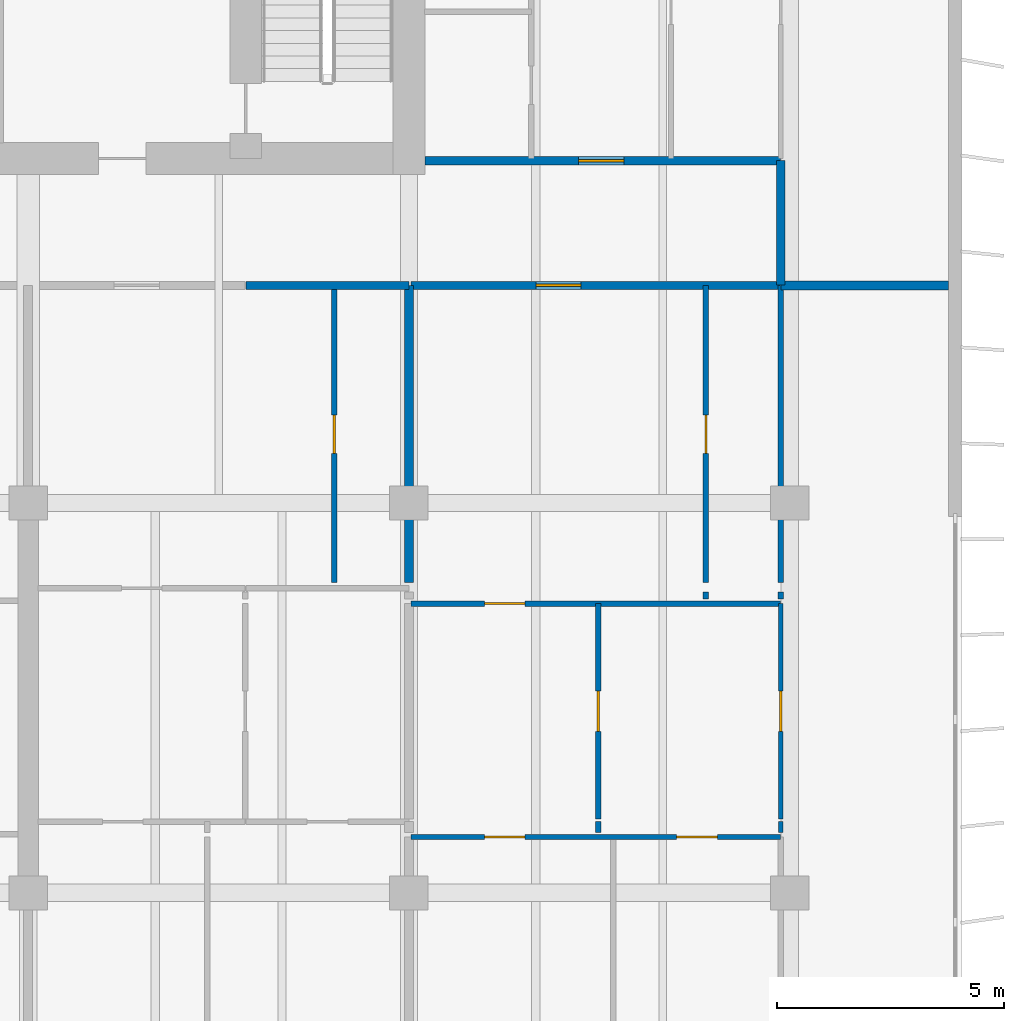
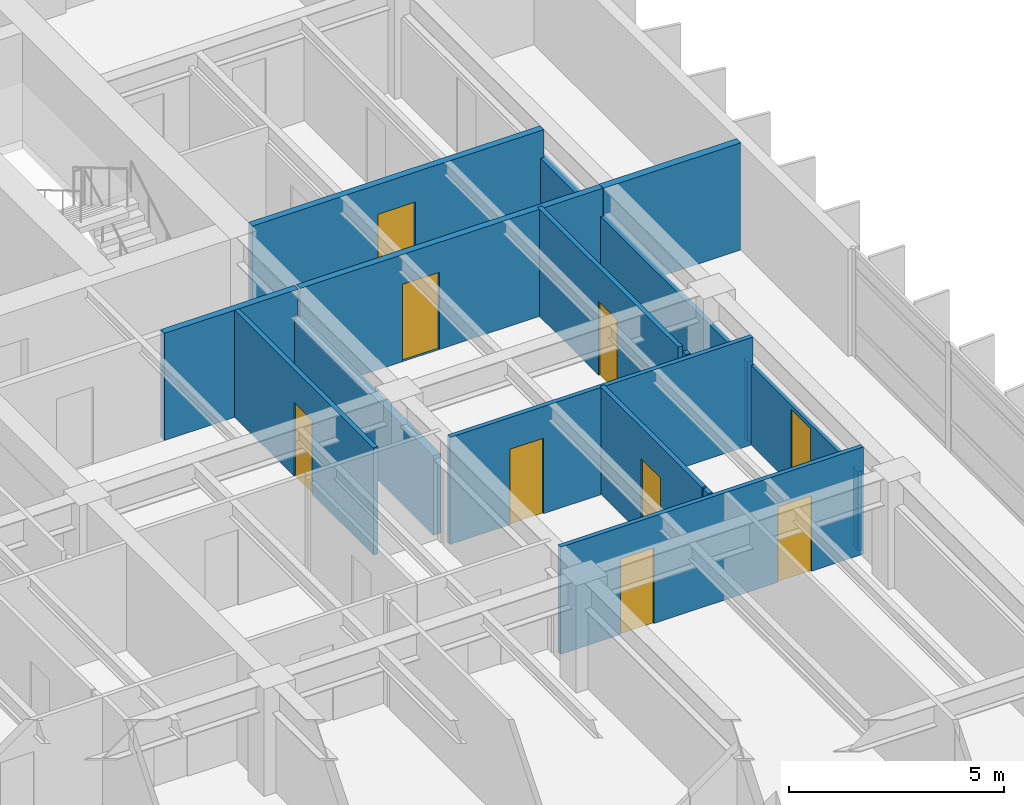
# One storey, part 12 of 19: 17 walls, 9 doors, 9 openings.
"""IFC4 building model written with IfcOpenShell, lengths in metres."""

from ifc_helpers import new_model, si_unit, direction, frame, frame_2d, origin, place, context, subcontext, project, spatial, rectangle, extrude, material, layer, layer_set, type_object, element, fill, save


model = new_model("IFC4")

# Units and contexts
model_context = context("Model", 3, precision=1e-05, world=origin(), true_north=direction((0.0, 1.0)))
body_context = subcontext(model_context, "Body", "Model", "MODEL_VIEW")
ifc_project = project(units=[si_unit("LENGTHUNIT", "METRE"), si_unit("AREAUNIT", "SQUARE_METRE"), si_unit("VOLUMEUNIT", "CUBIC_METRE"), si_unit("PLANEANGLEUNIT", "RADIAN"), si_unit("MASSUNIT", "GRAM", prefix="KILO")], contexts=[model_context])

# Site, building, storey
site_placement = place(None, origin())
site = spatial("IfcSite", under=ifc_project, at=site_placement, CompositionType="ELEMENT")
building_placement = place(site_placement, origin())
building = spatial("IfcBuilding", under=site, at=building_placement, Name="Caelmar Bay Residences", CompositionType="ELEMENT")
storey_placement = place(building_placement, frame((0.0, 0.0, 160.5)))
storey = spatial("IfcBuildingStorey", under=building, at=storey_placement, Name="L44", CompositionType="ELEMENT", Elevation=160.5)

# Walls
ifc_material_1 = material(Name="Double-stud acoustic fire-rated gypsum partition 180 mm")
ifc_layer_1 = layer(ifc_material_1, 0.179931640625)
ifc_layer_set_1 = layer_set([ifc_layer_1], Name="Double-stud acoustic fire-rated gypsum partition 180 mm")
wall_type_1 = type_object("IfcWallType", Name="W-COR-200", PredefinedType="PARTITIONING", material=ifc_layer_set_1)
wall_1_placement = place(storey_placement, frame((67.699951171875, 34.205078125, 0.0), z_axis=(0.0, 0.0, 1.0), x_axis=(0.0, 1.0, 0.0)))
element("IfcWall", 1, at=wall_1_placement, inside=storey, type_object=wall_type_1, Name="L44 Partition Wall V098", PredefinedType="PARTITIONING", context=body_context, shape_type="SweptSolid", body=[
    extrude(rectangle(XDim=2.744873046875, YDim=0.179931640625, at=frame_2d((1.37255859375, 0.0))), origin(), (0.0, 0.0, 1.0), 2.262939453125),
])
wall_2_placement = place(storey_placement, frame((55.89990234375, 34.199951171875, 0.0), z_axis=(0.0, 0.0, 1.0), x_axis=(1.0, 0.0, 0.0)))
element("IfcWall", 2, at=wall_2_placement, inside=storey, type_object=wall_type_1, Name="L44 Partition Wall H124", PredefinedType="PARTITIONING", context=body_context, shape_type="SweptSolid", body=[
    extrude(rectangle(XDim=3.60009765625, YDim=0.179931640625, at=frame_2d((1.800048828125, 0.0))), origin(), (0.0, 0.0, 1.0), 3.050048828125),
])

# Wall, opening, door
wall_3_placement = place(storey_placement, frame((59.550048828125, 34.199951171875, 0.0), z_axis=(0.0, 0.0, 1.0), x_axis=(1.0, 0.0, 0.0)))
wall_3 = element("IfcWall", 3, at=wall_3_placement, inside=storey, type_object=wall_type_1, Name="L44 Partition Wall H125", PredefinedType="PARTITIONING", context=body_context, shape_type="SweptSolid", body=[
    extrude(rectangle(XDim=8.14990234375, YDim=0.179931640625, at=frame_2d((4.074951171875, 0.0))), origin(), (0.0, 0.0, 1.0), 3.050048828125),
])
opening_1_placement = place(wall_3_placement, frame((2.75, 0.0, 0.0)))
opening_1 = element("IfcOpeningElement", 4, at=opening_1_placement, cuts=wall_3, Name="Opening D-L44-158", PredefinedType="OPENING", context=body_context, shape_type="SweptSolid", body=[
    extrude(rectangle(XDim=1.0, YDim=2.199951171875, at=frame_2d((0.5, 1.10009765625))), frame((0.0, 0.099853515625, 0.0), z_axis=(0.0, -1.0, 0.0), x_axis=(1.0, 0.0, 0.0)), (0.0, 0.0, 1.0), 0.199951171875),
])
ifc_material_2 = material(Name="Fire-rated steel and walnut architectural door assembly", Category="steel")
ifc_layer_2 = layer(ifc_material_2, 0.050048828125)
ifc_layer_set_2 = layer_set([ifc_layer_2], Name="Fire-rated steel and walnut architectural door assembly")
door_type_1 = type_object("IfcDoorType", Name="D-UNIT-1000", OperationType="NOTDEFINED", PredefinedType="DOOR", material=ifc_layer_set_2)
door_1_placement = place(opening_1_placement, origin())
door_1 = element("IfcDoor", 5, at=door_1_placement, inside=storey, type_object=door_type_1, Name="L44 Residence 06 Apartment Hall Door", OperationType="SINGLE_SWING_LEFT", OverallHeight=2.199951171875, OverallWidth=1.0, PredefinedType="DOOR", context=body_context, shape_type="SweptSolid", body=[
    extrude(rectangle(XDim=1.0, YDim=2.199951171875, at=frame_2d((0.5, 1.10009765625))), frame((0.0, 0.02490234375, 0.0), z_axis=(0.0, -1.0, 0.0), x_axis=(1.0, 0.0, 0.0)), (0.0, 0.0, 1.0), 0.050048828125),
])
fill(opening_1, door_1)

wall_4_placement = place(storey_placement, frame((59.85498046875, 36.949951171875, 0.0), z_axis=(0.0, 0.0, 1.0), x_axis=(1.0, 0.0, 0.0)))
wall_4 = element("IfcWall", 6, at=wall_4_placement, inside=storey, type_object=wall_type_1, Name="L44 Partition Wall H128", PredefinedType="PARTITIONING", context=body_context, shape_type="SweptSolid", body=[
    extrude(rectangle(XDim=7.844970703125, YDim=0.179931640625, at=frame_2d((3.92236328125, 0.0))), origin(), (0.0, 0.0, 1.0), 3.050048828125),
])
opening_2_placement = place(wall_4_placement, frame((3.385009765625, 0.0, 0.0)))
opening_2 = element("IfcOpeningElement", 7, at=opening_2_placement, cuts=wall_4, Name="Opening D-L44-174", PredefinedType="OPENING", context=body_context, shape_type="SweptSolid", body=[
    extrude(rectangle(XDim=1.0, YDim=2.199951171875, at=frame_2d((0.5, 1.10009765625))), frame((0.0, 0.099853515625, 0.0), z_axis=(0.0, -1.0, 0.0), x_axis=(1.0, 0.0, 0.0)), (0.0, 0.0, 1.0), 0.199951171875),
])
door_2_placement = place(opening_2_placement, origin())
door_2 = element("IfcDoor", 8, at=door_2_placement, inside=storey, type_object=door_type_1, Name="L44 Residence EA Kitchen Door", OperationType="SINGLE_SWING_LEFT", OverallHeight=2.199951171875, OverallWidth=1.0, PredefinedType="DOOR", context=body_context, shape_type="SweptSolid", body=[
    extrude(rectangle(XDim=1.0, YDim=2.199951171875, at=frame_2d((0.5, 1.10009765625))), frame((0.0, 0.02490234375, 0.0), z_axis=(0.0, -1.0, 0.0), x_axis=(1.0, 0.0, 0.0)), (0.0, 0.0, 1.0), 0.050048828125),
])
fill(opening_2, door_2)

# Wall
ifc_material_3 = material(Name="Anodised bronze framed acoustic sliding study partition 100 mm")
ifc_layer_3 = layer(ifc_material_3, 0.10009765625)
ifc_layer_set_3 = layer_set([ifc_layer_3], Name="Anodised bronze framed acoustic sliding study partition 100 mm")
wall_type_2 = type_object("IfcWallType", Name="W-MOV-100", PredefinedType="MOVABLE", material=ifc_layer_set_3)
wall_5_placement = place(storey_placement, frame((67.699951171875, 22.1298828125, 0.0), z_axis=(0.0, 0.0, 1.0), x_axis=(0.0, 1.0, 0.0)))
element("IfcWall", 9, at=wall_5_placement, inside=storey, type_object=wall_type_2, Name="L44 Partition Wall V094", PredefinedType="MOVABLE", context=body_context, shape_type="SweptSolid", body=[
    extrude(rectangle(XDim=0.240234375, YDim=0.10009765625, at=frame_2d((0.1201171875, 0.0))), origin(), (0.0, 0.0, 1.0), 2.262939453125),
])

# Wall, opening, door
wall_6_placement = place(storey_placement, frame((67.699951171875, 22.429931640625, 0.0), z_axis=(0.0, 0.0, 1.0), x_axis=(0.0, 1.0, 0.0)))
wall_6 = element("IfcWall", 10, at=wall_6_placement, inside=storey, type_object=wall_type_2, Name="L44 Partition Wall V095", PredefinedType="MOVABLE", context=body_context, shape_type="SweptSolid", body=[
    extrude(rectangle(XDim=4.75, YDim=0.10009765625, at=frame_2d((2.375, 0.0))), origin(), (0.0, 0.0, 1.0), 2.262939453125),
])
opening_3_placement = place(wall_6_placement, frame((1.925048828125, 0.0, 0.0)))
opening_3 = element("IfcOpeningElement", 11, at=opening_3_placement, cuts=wall_6, Name="Opening D-L44-165", PredefinedType="OPENING", context=body_context, shape_type="SweptSolid", body=[
    extrude(rectangle(XDim=0.89990234375, YDim=2.14990234375, at=frame_2d((0.449951171875, 1.074951171875))), frame((0.0, 0.06005859375, 0.0), z_axis=(0.0, -1.0, 0.0), x_axis=(1.0, 0.0, 0.0)), (0.0, 0.0, 1.0), 0.1201171875),
])
ifc_material_4 = material(Name="Solid walnut timber interior door leaf and frame", Category="wood")
ifc_layer_4 = layer(ifc_material_4, 0.050048828125)
ifc_layer_set_4 = layer_set([ifc_layer_4], Name="Solid walnut timber interior door leaf and frame")
door_type_2 = type_object("IfcDoorType", Name="D-ROOM-900", OperationType="NOTDEFINED", PredefinedType="DOOR", material=ifc_layer_set_4)
door_3_placement = place(opening_3_placement, origin())
door_3 = element("IfcDoor", 12, at=door_3_placement, inside=storey, type_object=door_type_2, Name="L44 Residence 06 Penthouse East Salon Door", OperationType="SINGLE_SWING_RIGHT", OverallHeight=2.14990234375, OverallWidth=0.89990234375, PredefinedType="DOOR", context=body_context, shape_type="SweptSolid", body=[
    extrude(rectangle(XDim=0.89990234375, YDim=2.14990234375, at=frame_2d((0.449951171875, 1.074951171875))), frame((0.0, 0.02490234375, 0.0), z_axis=(0.0, -1.0, 0.0), x_axis=(1.0, 0.0, 0.0)), (0.0, 0.0, 1.0), 0.050048828125),
])
fill(opening_3, door_3)

ifc_material_5 = material(Name="Acoustic metal-stud gypsum partition 120 mm")
ifc_layer_5 = layer(ifc_material_5, 0.1201171875)
ifc_layer_set_5 = layer_set([ifc_layer_5], Name="Acoustic metal-stud gypsum partition 120 mm")
wall_type_3 = type_object("IfcWallType", Name="W-PRT-120", PredefinedType="PARTITIONING", material=ifc_layer_set_5)
wall_7_placement = place(storey_placement, frame((57.85009765625, 27.639892578125, 0.0), z_axis=(0.0, 0.0, 1.0), x_axis=(0.0, 1.0, 0.0)))
wall_7 = element("IfcWall", 13, at=wall_7_placement, inside=storey, type_object=wall_type_3, Name="L44 Partition Wall V078", PredefinedType="PARTITIONING", context=body_context, shape_type="SweptSolid", body=[
    extrude(rectangle(XDim=6.56005859375, YDim=0.1201171875, at=frame_2d((3.280029296875, 0.0))), origin(), (0.0, 0.0, 1.0), 3.050048828125),
])
opening_4_placement = place(wall_7_placement, frame((2.85498046875, 0.0, 0.0)))
opening_4 = element("IfcOpeningElement", 14, at=opening_4_placement, cuts=wall_7, Name="Opening D-L44-152", PredefinedType="OPENING", context=body_context, shape_type="SweptSolid", body=[
    extrude(rectangle(XDim=0.85009765625, YDim=2.10009765625, at=frame_2d((0.425048828125, 1.050048828125))), frame((0.0, 0.070068359375, 0.0), z_axis=(0.0, -1.0, 0.0), x_axis=(1.0, 0.0, 0.0)), (0.0, 0.0, 1.0), 0.14013671875),
])
ifc_layer_6 = layer(ifc_material_4, 0.050048828125)
ifc_layer_set_6 = layer_set([ifc_layer_6], Name="Solid walnut timber interior door leaf and frame")
door_type_3 = type_object("IfcDoorType", Name="D-BATH-850", OperationType="NOTDEFINED", PredefinedType="DOOR", material=ifc_layer_set_6)
door_4_placement = place(opening_4_placement, origin())
door_4 = element("IfcDoor", 15, at=door_4_placement, inside=storey, type_object=door_type_3, Name="L44 Residence 05 Bathroom Door", OperationType="SINGLE_SWING_LEFT", OverallHeight=2.10009765625, OverallWidth=0.85009765625, PredefinedType="DOOR", context=body_context, shape_type="SweptSolid", body=[
    extrude(rectangle(XDim=0.85009765625, YDim=2.10009765625, at=frame_2d((0.425048828125, 1.050048828125))), frame((0.0, 0.02490234375, 0.0), z_axis=(0.0, -1.0, 0.0), x_axis=(1.0, 0.0, 0.0)), (0.0, 0.0, 1.0), 0.050048828125),
])
fill(opening_4, door_4)

# Wall
wall_8_placement = place(storey_placement, frame((63.677978515625, 22.1298828125, 0.0), z_axis=(0.0, 0.0, 1.0), x_axis=(0.0, 1.0, 0.0)))
element("IfcWall", 16, at=wall_8_placement, inside=storey, type_object=wall_type_3, Name="L44 Partition Wall V086", PredefinedType="PARTITIONING", context=body_context, shape_type="SweptSolid", body=[
    extrude(rectangle(XDim=0.240234375, YDim=0.1201171875, at=frame_2d((0.1201171875, 0.0))), origin(), (0.0, 0.0, 1.0), 3.050048828125),
])

# Wall, opening, door
wall_9_placement = place(storey_placement, frame((63.677978515625, 22.429931640625, 0.0), z_axis=(0.0, 0.0, 1.0), x_axis=(0.0, 1.0, 0.0)))
wall_9 = element("IfcWall", 17, at=wall_9_placement, inside=storey, type_object=wall_type_3, Name="L44 Partition Wall V087", PredefinedType="PARTITIONING", context=body_context, shape_type="SweptSolid", body=[
    extrude(rectangle(XDim=4.75, YDim=0.1201171875, at=frame_2d((2.375, 0.0))), origin(), (0.0, 0.0, 1.0), 3.050048828125),
])
opening_5_placement = place(wall_9_placement, frame((1.925048828125, 0.0, 0.0)))
opening_5 = element("IfcOpeningElement", 18, at=opening_5_placement, cuts=wall_9, Name="Opening D-L44-161", PredefinedType="OPENING", context=body_context, shape_type="SweptSolid", body=[
    extrude(rectangle(XDim=0.89990234375, YDim=2.14990234375, at=frame_2d((0.449951171875, 1.074951171875))), frame((0.0, 0.070068359375, 0.0), z_axis=(0.0, -1.0, 0.0), x_axis=(1.0, 0.0, 0.0)), (0.0, 0.0, 1.0), 0.14013671875),
])
door_5_placement = place(opening_5_placement, origin())
door_5 = element("IfcDoor", 19, at=door_5_placement, inside=storey, type_object=door_type_2, Name="L44 Residence 06 Study Door", OperationType="SINGLE_SWING_RIGHT", OverallHeight=2.14990234375, OverallWidth=0.89990234375, PredefinedType="DOOR", context=body_context, shape_type="SweptSolid", body=[
    extrude(rectangle(XDim=0.89990234375, YDim=2.14990234375, at=frame_2d((0.449951171875, 1.074951171875))), frame((0.0, 0.02490234375, 0.0), z_axis=(0.0, -1.0, 0.0), x_axis=(1.0, 0.0, 0.0)), (0.0, 0.0, 1.0), 0.050048828125),
])
fill(opening_5, door_5)

# Wall
wall_10_placement = place(storey_placement, frame((66.050048828125, 27.280029296875, 0.0), z_axis=(0.0, 0.0, 1.0), x_axis=(0.0, 1.0, 0.0)))
element("IfcWall", 20, at=wall_10_placement, inside=storey, type_object=wall_type_3, Name="L44 Partition Wall V091", PredefinedType="PARTITIONING", context=body_context, shape_type="SweptSolid", body=[
    extrude(rectangle(XDim=0.159912109375, YDim=0.1201171875, at=frame_2d((0.080078125, 0.0))), origin(), (0.0, 0.0, 1.0), 3.050048828125),
])

# Wall, opening, door
wall_11_placement = place(storey_placement, frame((66.050048828125, 27.639892578125, 0.0), z_axis=(0.0, 0.0, 1.0), x_axis=(0.0, 1.0, 0.0)))
wall_11 = element("IfcWall", 21, at=wall_11_placement, inside=storey, type_object=wall_type_3, Name="L44 Partition Wall V092", PredefinedType="PARTITIONING", context=body_context, shape_type="SweptSolid", body=[
    extrude(rectangle(XDim=6.56005859375, YDim=0.1201171875, at=frame_2d((3.280029296875, 0.0))), origin(), (0.0, 0.0, 1.0), 3.050048828125),
])
opening_6_placement = place(wall_11_placement, frame((2.85498046875, 0.0, 0.0)))
opening_6 = element("IfcOpeningElement", 22, at=opening_6_placement, cuts=wall_11, Name="Opening D-L44-159", PredefinedType="OPENING", context=body_context, shape_type="SweptSolid", body=[
    extrude(rectangle(XDim=0.85009765625, YDim=2.10009765625, at=frame_2d((0.425048828125, 1.050048828125))), frame((0.0, 0.070068359375, 0.0), z_axis=(0.0, -1.0, 0.0), x_axis=(1.0, 0.0, 0.0)), (0.0, 0.0, 1.0), 0.14013671875),
])
door_6_placement = place(opening_6_placement, origin())
door_6 = element("IfcDoor", 23, at=door_6_placement, inside=storey, type_object=door_type_3, Name="L44 Residence 06 Bathroom Door", OperationType="SINGLE_SWING_RIGHT", OverallHeight=2.10009765625, OverallWidth=0.85009765625, PredefinedType="DOOR", context=body_context, shape_type="SweptSolid", body=[
    extrude(rectangle(XDim=0.85009765625, YDim=2.10009765625, at=frame_2d((0.425048828125, 1.050048828125))), frame((0.0, 0.02490234375, 0.0), z_axis=(0.0, -1.0, 0.0), x_axis=(1.0, 0.0, 0.0)), (0.0, 0.0, 1.0), 0.050048828125),
])
fill(opening_6, door_6)

# Walls
wall_12_placement = place(storey_placement, frame((67.699951171875, 27.280029296875, 0.0), z_axis=(0.0, 0.0, 1.0), x_axis=(0.0, 1.0, 0.0)))
element("IfcWall", 24, at=wall_12_placement, inside=storey, type_object=wall_type_3, Name="L44 Partition Wall V096", PredefinedType="PARTITIONING", context=body_context, shape_type="SweptSolid", body=[
    extrude(rectangle(XDim=0.159912109375, YDim=0.1201171875, at=frame_2d((0.080078125, 0.0))), origin(), (0.0, 0.0, 1.0), 2.262939453125),
])
wall_13_placement = place(storey_placement, frame((67.699951171875, 27.639892578125, 0.0), z_axis=(0.0, 0.0, 1.0), x_axis=(0.0, 1.0, 0.0)))
element("IfcWall", 25, at=wall_13_placement, inside=storey, type_object=wall_type_3, Name="L44 Partition Wall V097", PredefinedType="PARTITIONING", context=body_context, shape_type="SweptSolid", body=[
    extrude(rectangle(XDim=6.56005859375, YDim=0.1201171875, at=frame_2d((3.280029296875, 0.0))), origin(), (0.0, 0.0, 1.0), 2.262939453125),
])

# Wall, openings, doors
wall_14_placement = place(storey_placement, frame((59.550048828125, 22.030029296875, 0.0), z_axis=(0.0, 0.0, 1.0), x_axis=(1.0, 0.0, 0.0)))
wall_14 = element("IfcWall", 26, at=wall_14_placement, inside=storey, type_object=wall_type_3, Name="L44 Partition Wall H105", PredefinedType="PARTITIONING", context=body_context, shape_type="SweptSolid", body=[
    extrude(rectangle(XDim=8.14990234375, YDim=0.1201171875, at=frame_2d((4.074951171875, 0.0))), origin(), (0.0, 0.0, 1.0), 3.050048828125),
])
opening_7_placement = place(wall_14_placement, frame((1.614013671875, 0.0, 0.0)))
opening_7 = element("IfcOpeningElement", 27, at=opening_7_placement, cuts=wall_14, Name="Opening D-L44-162", PredefinedType="OPENING", context=body_context, shape_type="SweptSolid", body=[
    extrude(rectangle(XDim=0.89990234375, YDim=2.14990234375, at=frame_2d((0.449951171875, 1.074951171875))), frame((0.0, 0.070068359375, 0.0), z_axis=(0.0, -1.0, 0.0), x_axis=(1.0, 0.0, 0.0)), (0.0, 0.0, 1.0), 0.14013671875),
])
opening_8_placement = place(wall_14_placement, frame((5.85498046875, 0.0, 0.0)))
opening_8 = element("IfcOpeningElement", 28, at=opening_8_placement, cuts=wall_14, Name="Opening D-L44-163", PredefinedType="OPENING", context=body_context, shape_type="SweptSolid", body=[
    extrude(rectangle(XDim=0.89990234375, YDim=2.14990234375, at=frame_2d((0.449951171875, 1.074951171875))), frame((0.0, 0.070068359375, 0.0), z_axis=(0.0, -1.0, 0.0), x_axis=(1.0, 0.0, 0.0)), (0.0, 0.0, 1.0), 0.14013671875),
])
door_7_placement = place(opening_7_placement, origin())
door_7 = element("IfcDoor", 29, at=door_7_placement, inside=storey, type_object=door_type_2, Name="L44 Residence 06 Living Room Door", OperationType="SINGLE_SWING_LEFT", OverallHeight=2.14990234375, OverallWidth=0.89990234375, PredefinedType="DOOR", context=body_context, shape_type="SweptSolid", body=[
    extrude(rectangle(XDim=0.89990234375, YDim=2.14990234375, at=frame_2d((0.449951171875, 1.074951171875))), frame((0.0, 0.02490234375, 0.0), z_axis=(0.0, -1.0, 0.0), x_axis=(1.0, 0.0, 0.0)), (0.0, 0.0, 1.0), 0.050048828125),
])
fill(opening_7, door_7)
door_8_placement = place(opening_8_placement, origin())
door_8 = element("IfcDoor", 30, at=door_8_placement, inside=storey, type_object=door_type_2, Name="L44 Residence 06 Primary Bedroom Door", OperationType="SINGLE_SWING_RIGHT", OverallHeight=2.14990234375, OverallWidth=0.89990234375, PredefinedType="DOOR", context=body_context, shape_type="SweptSolid", body=[
    extrude(rectangle(XDim=0.89990234375, YDim=2.14990234375, at=frame_2d((0.449951171875, 1.074951171875))), frame((0.0, 0.02490234375, 0.0), z_axis=(0.0, -1.0, 0.0), x_axis=(1.0, 0.0, 0.0)), (0.0, 0.0, 1.0), 0.050048828125),
])
fill(opening_8, door_8)

# Wall, opening, door
wall_15_placement = place(storey_placement, frame((59.550048828125, 27.179931640625, 0.0), z_axis=(0.0, 0.0, 1.0), x_axis=(1.0, 0.0, 0.0)))
wall_15 = element("IfcWall", 31, at=wall_15_placement, inside=storey, type_object=wall_type_3, Name="L44 Partition Wall H113", PredefinedType="PARTITIONING", context=body_context, shape_type="SweptSolid", body=[
    extrude(rectangle(XDim=8.14990234375, YDim=0.1201171875, at=frame_2d((4.074951171875, 0.0))), origin(), (0.0, 0.0, 1.0), 3.050048828125),
])
opening_9_placement = place(wall_15_placement, frame((1.614013671875, 0.0, 0.0)))
opening_9 = element("IfcOpeningElement", 32, at=opening_9_placement, cuts=wall_15, Name="Opening D-L44-160", PredefinedType="OPENING", context=body_context, shape_type="SweptSolid", body=[
    extrude(rectangle(XDim=0.89990234375, YDim=2.14990234375, at=frame_2d((0.449951171875, 1.074951171875))), frame((0.0, 0.070068359375, 0.0), z_axis=(0.0, -1.0, 0.0), x_axis=(1.0, 0.0, 0.0)), (0.0, 0.0, 1.0), 0.14013671875),
])
door_9_placement = place(opening_9_placement, origin())
door_9 = element("IfcDoor", 33, at=door_9_placement, inside=storey, type_object=door_type_2, Name="L44 Residence 06 Kitchen Door", OperationType="SINGLE_SWING_LEFT", OverallHeight=2.14990234375, OverallWidth=0.89990234375, PredefinedType="DOOR", context=body_context, shape_type="SweptSolid", body=[
    extrude(rectangle(XDim=0.89990234375, YDim=2.14990234375, at=frame_2d((0.449951171875, 1.074951171875))), frame((0.0, 0.02490234375, 0.0), z_axis=(0.0, -1.0, 0.0), x_axis=(1.0, 0.0, 0.0)), (0.0, 0.0, 1.0), 0.050048828125),
])
fill(opening_9, door_9)

# Walls
ifc_material_6 = material(Name="Acoustic twin-stud fire-rated inter-tenancy partition 200 mm")
ifc_layer_7 = layer(ifc_material_6, 0.199951171875)
ifc_layer_set_7 = layer_set([ifc_layer_7], Name="Acoustic twin-stud fire-rated inter-tenancy partition 200 mm")
wall_type_4 = type_object("IfcWallType", Name="W-PTY-200", PredefinedType="PARTITIONING", material=ifc_layer_set_7)
wall_16_placement = place(storey_placement, frame((59.5, 27.639892578125, 0.0), z_axis=(0.0, 0.0, 1.0), x_axis=(0.0, 1.0, 0.0)))
element("IfcWall", 34, at=wall_16_placement, inside=storey, type_object=wall_type_4, Name="L44 Partition Wall V084", PredefinedType="PARTITIONING", context=body_context, shape_type="SweptSolid", body=[
    extrude(rectangle(XDim=6.56005859375, YDim=0.199951171875, at=frame_2d((3.280029296875, 0.0))), origin(), (0.0, 0.0, 1.0), 2.262939453125),
])
wall_17_placement = place(storey_placement, frame((67.705078125, 34.199951171875, 0.0), z_axis=(0.0, 0.0, 1.0), x_axis=(1.0, 0.0, 0.0)))
element("IfcWall", 35, at=wall_17_placement, inside=storey, type_object=wall_type_4, Name="L44 Partition Wall H126", PredefinedType="PARTITIONING", context=body_context, shape_type="SweptSolid", body=[
    extrude(rectangle(XDim=3.699951171875, YDim=0.199951171875, at=frame_2d((1.85009765625, 0.0))), origin(), (0.0, 0.0, 1.0), 3.050048828125),
])

save(model, "model.ifc")
